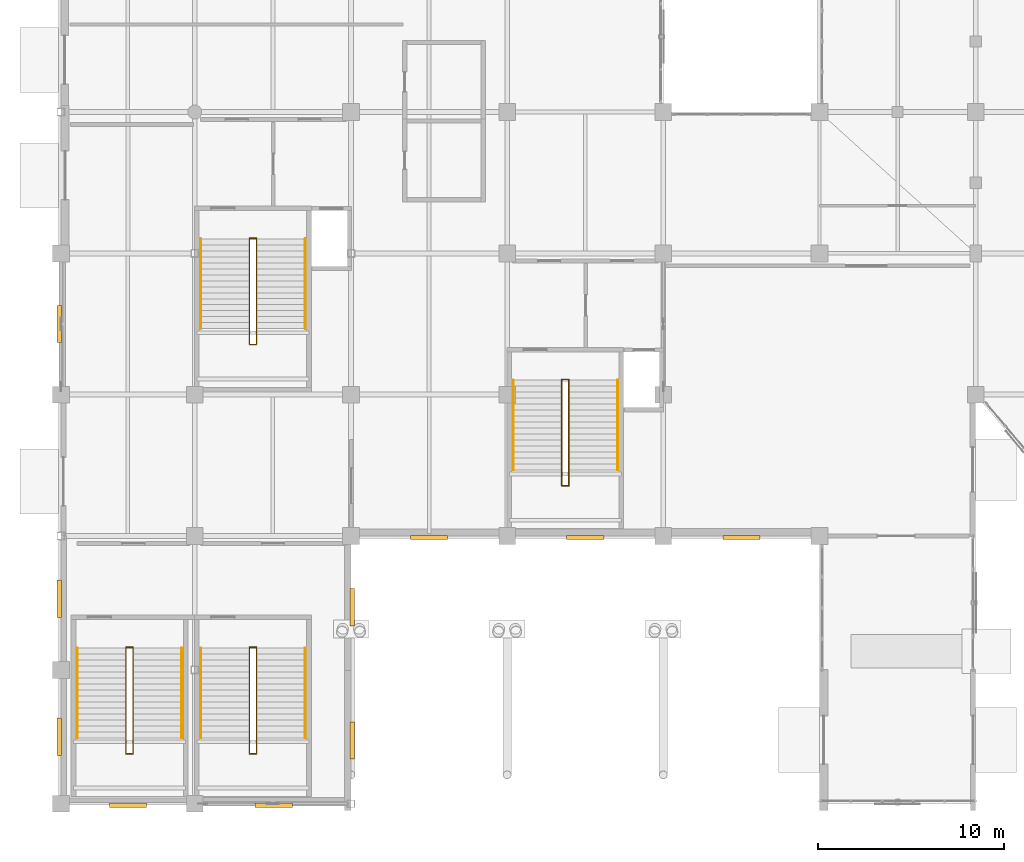
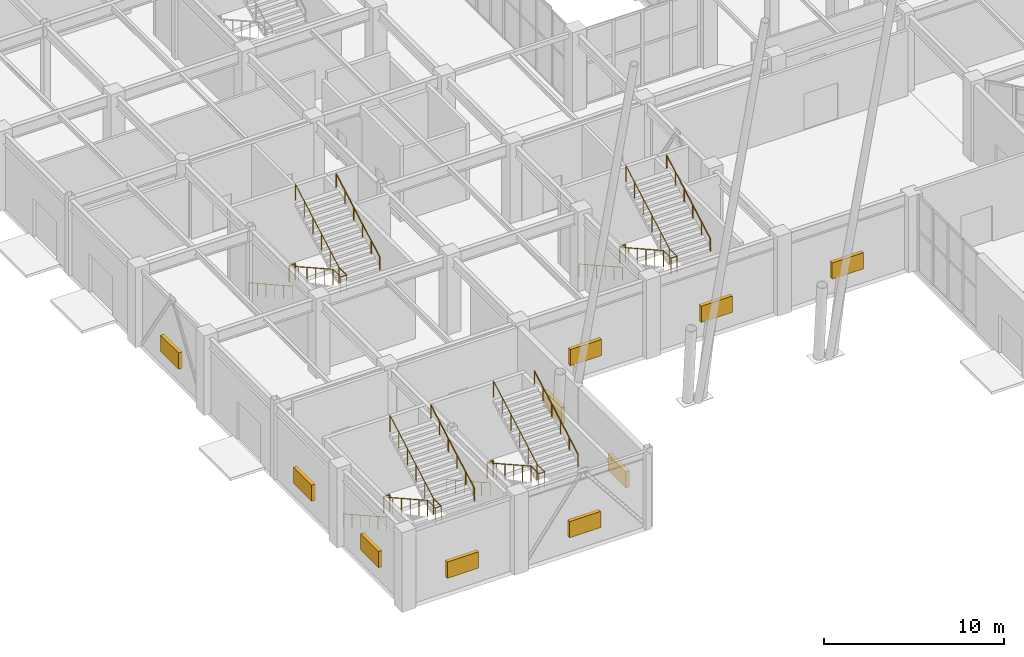
# One storey, part 134 of 139: 16 railings, 10 shading devices.
"""IFC4 building model written with IfcOpenShell, lengths in metres."""

from ifc_helpers import new_model, si_unit, direction, frame, origin, origin_2d, place, context, subcontext, project, spatial, rectangle, circle, extrude, material, type_object, element, save


model = new_model("IFC4")

# Units and contexts
model_context = context("Model", 3, precision=1e-05, world=origin(), true_north=direction((0.0, 1.0)))
body_context = subcontext(model_context, "Body", "Model", "MODEL_VIEW")
ifc_project = project(units=[si_unit("LENGTHUNIT", "METRE"), si_unit("AREAUNIT", "SQUARE_METRE"), si_unit("VOLUMEUNIT", "CUBIC_METRE"), si_unit("PLANEANGLEUNIT", "RADIAN"), si_unit("MASSUNIT", "GRAM", prefix="KILO")], contexts=[model_context])

# Site, building, storey
site_placement = place(None, origin())
site = spatial("IfcSite", under=ifc_project, at=site_placement, CompositionType="ELEMENT")
building_placement = place(site_placement, origin())
building = spatial("IfcBuilding", under=site, at=building_placement, Name="Xicomal Pleat Aquarium", CompositionType="ELEMENT")
storey_placement = place(building_placement, origin())
storey = spatial("IfcBuildingStorey", under=building, at=storey_placement, Name="L01", CompositionType="ELEMENT", Elevation=0.0)

# Railings
ifc_material_1 = material(Name="Brushed stainless steel 316L", Category="steel")
railing_type_1 = type_object("IfcRailingType", Name="RAL-HR-900", PredefinedType="HANDRAIL", material=ifc_material_1)
railing_1_placement = place(storey_placement, frame((10.52001953125, 31.179931640625, 0.0)))
element("IfcRailing", 1, at=railing_1_placement, inside=storey, type_object=railing_type_1, Name="ST-01-L01 flight 1 handrail", PredefinedType="HANDRAIL", context=body_context, shape_type="SweptSolid", body=[
    extrude(circle(Radius=0.02392578125, at=origin_2d()), frame((0.0, 0.0, 0.8759765625), z_axis=(0.0, -0.872872184848, 0.487948920398), x_axis=(1.0, 0.0, 0.0)), (0.0, 0.0, 1.0), 5.533203125),
    extrude(circle(Radius=0.02099609375, at=origin_2d()), origin(), (0.0, 0.0, 1.0), 0.851806640625),
    extrude(circle(Radius=0.02099609375, at=origin_2d()), frame((0.0, -0.966064453125, 0.5400390625)), (0.0, 0.0, 1.0), 0.851806640625),
    extrude(circle(Radius=0.02099609375, at=origin_2d()), frame((0.0, -1.931884765625, 1.080078125)), (0.0, 0.0, 1.0), 0.851806640625),
    extrude(circle(Radius=0.02099609375, at=origin_2d()), frame((0.0, -2.89794921875, 1.619873046875)), (0.0, 0.0, 1.0), 0.851806640625),
    extrude(circle(Radius=0.02099609375, at=origin_2d()), frame((0.0, -3.86376953125, 2.159912109375)), (0.0, 0.0, 1.0), 0.851806640625),
    extrude(circle(Radius=0.02099609375, at=origin_2d()), frame((0.0, -4.829833984375, 2.699951171875)), (0.0, 0.0, 1.0), 0.851806640625),
])
railing_2_placement = place(storey_placement, frame((16.139892578125, 26.35009765625, 2.699951171875)))
element("IfcRailing", 2, at=railing_2_placement, inside=storey, type_object=railing_type_1, Name="ST-01-L01 flight 2 handrail", PredefinedType="HANDRAIL", context=body_context, shape_type="SweptSolid", body=[
    extrude(circle(Radius=0.02392578125, at=origin_2d()), frame((0.0, 0.0, 0.8759765625), z_axis=(0.0, 0.872872184848, 0.487948920398), x_axis=(-1.0, 0.0, 0.0)), (0.0, 0.0, 1.0), 5.533203125),
    extrude(circle(Radius=0.02099609375, at=origin_2d()), origin(), (0.0, 0.0, 1.0), 0.851806640625),
    extrude(circle(Radius=0.02099609375, at=origin_2d()), frame((0.0, 0.966064453125, 0.5400390625)), (0.0, 0.0, 1.0), 0.851806640625),
    extrude(circle(Radius=0.02099609375, at=origin_2d()), frame((0.0, 1.931884765625, 1.080078125)), (0.0, 0.0, 1.0), 0.851806640625),
    extrude(circle(Radius=0.02099609375, at=origin_2d()), frame((0.0, 2.89794921875, 1.619873046875)), (0.0, 0.0, 1.0), 0.851806640625),
    extrude(circle(Radius=0.02099609375, at=origin_2d()), frame((0.0, 3.86376953125, 2.159912109375)), (0.0, 0.0, 1.0), 0.851806640625),
    extrude(circle(Radius=0.02099609375, at=origin_2d()), frame((0.0, 4.829833984375, 2.699951171875)), (0.0, 0.0, 1.0), 0.851806640625),
])
railing_3_placement = place(storey_placement, frame((27.320068359375, 23.580078125, 0.0)))
element("IfcRailing", 3, at=railing_3_placement, inside=storey, type_object=railing_type_1, Name="ST-02-L01 flight 1 handrail", PredefinedType="HANDRAIL", context=body_context, shape_type="SweptSolid", body=[
    extrude(circle(Radius=0.02392578125, at=origin_2d()), frame((0.0, 0.0, 0.8759765625), z_axis=(0.0, -0.872882689512, 0.487930128554), x_axis=(1.0, 0.0, 0.0)), (0.0, 0.0, 1.0), 5.533447265625),
    extrude(circle(Radius=0.02099609375, at=origin_2d()), origin(), (0.0, 0.0, 1.0), 0.851806640625),
    extrude(circle(Radius=0.02099609375, at=origin_2d()), frame((0.0, -0.966064453125, 0.5400390625)), (0.0, 0.0, 1.0), 0.851806640625),
    extrude(circle(Radius=0.02099609375, at=origin_2d()), frame((0.0, -1.93212890625, 1.080078125)), (0.0, 0.0, 1.0), 0.851806640625),
    extrude(circle(Radius=0.02099609375, at=origin_2d()), frame((0.0, -2.89794921875, 1.619873046875)), (0.0, 0.0, 1.0), 0.851806640625),
    extrude(circle(Radius=0.02099609375, at=origin_2d()), frame((0.0, -3.864013671875, 2.159912109375)), (0.0, 0.0, 1.0), 0.851806640625),
    extrude(circle(Radius=0.02099609375, at=origin_2d()), frame((0.0, -4.830078125, 2.699951171875)), (0.0, 0.0, 1.0), 0.851806640625),
])
railing_4_placement = place(storey_placement, frame((32.93994140625, 18.75, 2.699951171875)))
element("IfcRailing", 4, at=railing_4_placement, inside=storey, type_object=railing_type_1, Name="ST-02-L01 flight 2 handrail", PredefinedType="HANDRAIL", context=body_context, shape_type="SweptSolid", body=[
    extrude(circle(Radius=0.02392578125, at=origin_2d()), frame((0.0, 0.0, 0.8759765625), z_axis=(0.0, 0.872882689512, 0.487930128554), x_axis=(-1.0, 0.0, 0.0)), (0.0, 0.0, 1.0), 5.533447265625),
    extrude(circle(Radius=0.02099609375, at=origin_2d()), origin(), (0.0, 0.0, 1.0), 0.851806640625),
    extrude(circle(Radius=0.02099609375, at=origin_2d()), frame((0.0, 0.966064453125, 0.5400390625)), (0.0, 0.0, 1.0), 0.851806640625),
    extrude(circle(Radius=0.02099609375, at=origin_2d()), frame((0.0, 1.93212890625, 1.080078125)), (0.0, 0.0, 1.0), 0.851806640625),
    extrude(circle(Radius=0.02099609375, at=origin_2d()), frame((0.0, 2.89794921875, 1.619873046875)), (0.0, 0.0, 1.0), 0.851806640625),
    extrude(circle(Radius=0.02099609375, at=origin_2d()), frame((0.0, 3.864013671875, 2.159912109375)), (0.0, 0.0, 1.0), 0.851806640625),
    extrude(circle(Radius=0.02099609375, at=origin_2d()), frame((0.0, 4.830078125, 2.699951171875)), (0.0, 0.0, 1.0), 0.851806640625),
])
railing_5_placement = place(storey_placement, frame((10.52001953125, 9.179931640625, 0.0)))
element("IfcRailing", 5, at=railing_5_placement, inside=storey, type_object=railing_type_1, Name="ST-09-L01 flight 1 handrail", PredefinedType="HANDRAIL", context=body_context, shape_type="SweptSolid", body=[
    extrude(circle(Radius=0.02392578125, at=origin_2d()), frame((0.0, 0.0, 0.8759765625), z_axis=(0.0, -0.872872184848, 0.487948920398), x_axis=(1.0, 0.0, 0.0)), (0.0, 0.0, 1.0), 5.533203125),
    extrude(circle(Radius=0.02099609375, at=origin_2d()), origin(), (0.0, 0.0, 1.0), 0.851806640625),
    extrude(circle(Radius=0.02099609375, at=origin_2d()), frame((0.0, -0.966064453125, 0.5400390625)), (0.0, 0.0, 1.0), 0.851806640625),
    extrude(circle(Radius=0.02099609375, at=origin_2d()), frame((0.0, -1.931884765625, 1.080078125)), (0.0, 0.0, 1.0), 0.851806640625),
    extrude(circle(Radius=0.02099609375, at=origin_2d()), frame((0.0, -2.89794921875, 1.619873046875)), (0.0, 0.0, 1.0), 0.851806640625),
    extrude(circle(Radius=0.02099609375, at=origin_2d()), frame((0.0, -3.86376953125, 2.159912109375)), (0.0, 0.0, 1.0), 0.851806640625),
    extrude(circle(Radius=0.02099609375, at=origin_2d()), frame((0.0, -4.829833984375, 2.699951171875)), (0.0, 0.0, 1.0), 0.851806640625),
])
railing_6_placement = place(storey_placement, frame((16.139892578125, 4.35009765625, 2.699951171875)))
element("IfcRailing", 6, at=railing_6_placement, inside=storey, type_object=railing_type_1, Name="ST-09-L01 flight 2 handrail", PredefinedType="HANDRAIL", context=body_context, shape_type="SweptSolid", body=[
    extrude(circle(Radius=0.02392578125, at=origin_2d()), frame((0.0, 0.0, 0.8759765625), z_axis=(0.0, 0.872872184848, 0.487948920398), x_axis=(-1.0, 0.0, 0.0)), (0.0, 0.0, 1.0), 5.533203125),
    extrude(circle(Radius=0.02099609375, at=origin_2d()), origin(), (0.0, 0.0, 1.0), 0.851806640625),
    extrude(circle(Radius=0.02099609375, at=origin_2d()), frame((0.0, 0.966064453125, 0.5400390625)), (0.0, 0.0, 1.0), 0.851806640625),
    extrude(circle(Radius=0.02099609375, at=origin_2d()), frame((0.0, 1.931884765625, 1.080078125)), (0.0, 0.0, 1.0), 0.851806640625),
    extrude(circle(Radius=0.02099609375, at=origin_2d()), frame((0.0, 2.89794921875, 1.619873046875)), (0.0, 0.0, 1.0), 0.851806640625),
    extrude(circle(Radius=0.02099609375, at=origin_2d()), frame((0.0, 3.86376953125, 2.159912109375)), (0.0, 0.0, 1.0), 0.851806640625),
    extrude(circle(Radius=0.02099609375, at=origin_2d()), frame((0.0, 4.829833984375, 2.699951171875)), (0.0, 0.0, 1.0), 0.851806640625),
])
railing_7_placement = place(storey_placement, frame((3.8798828125, 9.179931640625, 0.0)))
element("IfcRailing", 7, at=railing_7_placement, inside=storey, type_object=railing_type_1, Name="ST-10-L01 flight 1 handrail", PredefinedType="HANDRAIL", context=body_context, shape_type="SweptSolid", body=[
    extrude(circle(Radius=0.02392578125, at=origin_2d()), frame((0.0, 0.0, 0.8759765625), z_axis=(0.0, -0.872872184848, 0.487948920398), x_axis=(1.0, 0.0, 0.0)), (0.0, 0.0, 1.0), 5.533203125),
    extrude(circle(Radius=0.02099609375, at=origin_2d()), origin(), (0.0, 0.0, 1.0), 0.851806640625),
    extrude(circle(Radius=0.02099609375, at=origin_2d()), frame((0.0, -0.966064453125, 0.5400390625)), (0.0, 0.0, 1.0), 0.851806640625),
    extrude(circle(Radius=0.02099609375, at=origin_2d()), frame((0.0, -1.931884765625, 1.080078125)), (0.0, 0.0, 1.0), 0.851806640625),
    extrude(circle(Radius=0.02099609375, at=origin_2d()), frame((0.0, -2.89794921875, 1.619873046875)), (0.0, 0.0, 1.0), 0.851806640625),
    extrude(circle(Radius=0.02099609375, at=origin_2d()), frame((0.0, -3.86376953125, 2.159912109375)), (0.0, 0.0, 1.0), 0.851806640625),
    extrude(circle(Radius=0.02099609375, at=origin_2d()), frame((0.0, -4.829833984375, 2.699951171875)), (0.0, 0.0, 1.0), 0.851806640625),
])
railing_8_placement = place(storey_placement, frame((9.5, 4.35009765625, 2.699951171875)))
element("IfcRailing", 8, at=railing_8_placement, inside=storey, type_object=railing_type_1, Name="ST-10-L01 flight 2 handrail", PredefinedType="HANDRAIL", context=body_context, shape_type="SweptSolid", body=[
    extrude(circle(Radius=0.02392578125, at=origin_2d()), frame((0.0, 0.0, 0.8759765625), z_axis=(0.0, 0.872872184848, 0.487948920398), x_axis=(-1.0, 0.0, 0.0)), (0.0, 0.0, 1.0), 5.533203125),
    extrude(circle(Radius=0.02099609375, at=origin_2d()), origin(), (0.0, 0.0, 1.0), 0.851806640625),
    extrude(circle(Radius=0.02099609375, at=origin_2d()), frame((0.0, 0.966064453125, 0.5400390625)), (0.0, 0.0, 1.0), 0.851806640625),
    extrude(circle(Radius=0.02099609375, at=origin_2d()), frame((0.0, 1.931884765625, 1.080078125)), (0.0, 0.0, 1.0), 0.851806640625),
    extrude(circle(Radius=0.02099609375, at=origin_2d()), frame((0.0, 2.89794921875, 1.619873046875)), (0.0, 0.0, 1.0), 0.851806640625),
    extrude(circle(Radius=0.02099609375, at=origin_2d()), frame((0.0, 3.86376953125, 2.159912109375)), (0.0, 0.0, 1.0), 0.851806640625),
    extrude(circle(Radius=0.02099609375, at=origin_2d()), frame((0.0, 4.829833984375, 2.699951171875)), (0.0, 0.0, 1.0), 0.851806640625),
])
ifc_material_2 = material(Name="Brushed stainless steel 316L", Category="steel")
railing_type_2 = type_object("IfcRailingType", Name="RAL-STG-1120", PredefinedType="GUARDRAIL", material=ifc_material_2)
railing_9_placement = place(storey_placement, frame((13.139892578125, 31.179931640625, 0.0)))
element("IfcRailing", 9, at=railing_9_placement, inside=storey, type_object=railing_type_2, Name="ST-01-L01 inner well guard", PredefinedType="GUARDRAIL", context=body_context, shape_type="SweptSolid", body=[
    extrude(circle(Radius=0.02392578125, at=origin_2d()), frame((0.0, 0.0, 1.09619140625), z_axis=(0.0, -0.872872184848, 0.487948920398), x_axis=(1.0, 0.0, 0.0)), (0.0, 0.0, 1.0), 5.533203125),
    extrude(circle(Radius=0.02392578125, at=origin_2d()), frame((0.0, -4.829833984375, 3.7958984375), z_axis=(0.0, -1.0, 0.0), x_axis=(1.0, 0.0, 0.0)), (0.0, 0.0, 1.0), 0.85009765625),
    extrude(circle(Radius=0.02392578125, at=origin_2d()), frame((0.0, -5.679931640625, 3.7958984375), z_axis=(1.0, 0.0, 0.0), x_axis=(0.0, 1.0, 0.0)), (0.0, 0.0, 1.0), 0.380126953125),
    extrude(circle(Radius=0.02392578125, at=origin_2d()), frame((0.380126953125, -5.679931640625, 3.7958984375), z_axis=(0.0, 1.0, 0.0), x_axis=(-1.0, 0.0, 0.0)), (0.0, 0.0, 1.0), 0.85009765625),
    extrude(circle(Radius=0.02392578125, at=origin_2d()), frame((0.380126953125, -4.829833984375, 3.7958984375), z_axis=(0.0, 0.872872184848, 0.487948920398), x_axis=(-1.0, 0.0, 0.0)), (0.0, 0.0, 1.0), 5.533203125),
    extrude(circle(Radius=0.02099609375, at=origin_2d()), origin(), (0.0, 0.0, 1.0), 1.072021484375),
    extrude(circle(Radius=0.02099609375, at=origin_2d()), frame((0.0, -0.966064453125, 0.5400390625)), (0.0, 0.0, 1.0), 1.072021484375),
    extrude(circle(Radius=0.02099609375, at=origin_2d()), frame((0.0, -1.931884765625, 1.080078125)), (0.0, 0.0, 1.0), 1.072021484375),
    extrude(circle(Radius=0.02099609375, at=origin_2d()), frame((0.0, -2.89794921875, 1.619873046875)), (0.0, 0.0, 1.0), 1.072021484375),
    extrude(circle(Radius=0.02099609375, at=origin_2d()), frame((0.0, -3.86376953125, 2.159912109375)), (0.0, 0.0, 1.0), 1.072021484375),
    extrude(circle(Radius=0.02099609375, at=origin_2d()), frame((0.0, -4.829833984375, 2.699951171875)), (0.0, 0.0, 1.0), 1.072021484375),
    extrude(circle(Radius=0.02099609375, at=origin_2d()), frame((0.0, -5.679931640625, 2.699951171875)), (0.0, 0.0, 1.0), 1.072021484375),
    extrude(circle(Radius=0.02099609375, at=origin_2d()), frame((0.380126953125, -5.679931640625, 2.699951171875)), (0.0, 0.0, 1.0), 1.072021484375),
    extrude(circle(Radius=0.02099609375, at=origin_2d()), frame((0.380126953125, -4.829833984375, 2.699951171875)), (0.0, 0.0, 1.0), 1.072021484375),
    extrude(circle(Radius=0.02099609375, at=origin_2d()), frame((0.380126953125, -3.86376953125, 3.239990234375)), (0.0, 0.0, 1.0), 1.072021484375),
    extrude(circle(Radius=0.02099609375, at=origin_2d()), frame((0.380126953125, -2.89794921875, 3.780029296875)), (0.0, 0.0, 1.0), 1.072021484375),
    extrude(circle(Radius=0.02099609375, at=origin_2d()), frame((0.380126953125, -1.931884765625, 4.31982421875)), (0.0, 0.0, 1.0), 1.072021484375),
    extrude(circle(Radius=0.02099609375, at=origin_2d()), frame((0.380126953125, -0.966064453125, 4.85986328125)), (0.0, 0.0, 1.0), 1.072021484375),
    extrude(circle(Radius=0.02099609375, at=origin_2d()), frame((0.380126953125, 0.0, 5.39990234375)), (0.0, 0.0, 1.0), 1.072021484375),
])
railing_10_placement = place(storey_placement, frame((13.139892578125, 31.219970703125, 0.0)))
element("IfcRailing", 10, at=railing_10_placement, inside=storey, type_object=railing_type_2, Name="ST-01-L01 floor landing slot guard", PredefinedType="GUARDRAIL", context=body_context, shape_type="SweptSolid", body=[
    extrude(circle(Radius=0.02392578125, at=origin_2d()), frame((0.0, 0.0, 1.09619140625), z_axis=(1.0, 0.0, 0.0), x_axis=(0.0, 1.0, 0.0)), (0.0, 0.0, 1.0), 0.380126953125),
    extrude(circle(Radius=0.02099609375, at=origin_2d()), origin(), (0.0, 0.0, 1.0), 1.072021484375),
    extrude(circle(Radius=0.02099609375, at=origin_2d()), frame((0.380126953125, 0.0, 0.0)), (0.0, 0.0, 1.0), 1.072021484375),
])
railing_11_placement = place(storey_placement, frame((29.93994140625, 23.580078125, 0.0)))
element("IfcRailing", 11, at=railing_11_placement, inside=storey, type_object=railing_type_2, Name="ST-02-L01 inner well guard", PredefinedType="GUARDRAIL", context=body_context, shape_type="SweptSolid", body=[
    extrude(circle(Radius=0.02392578125, at=origin_2d()), frame((0.0, 0.0, 1.09619140625), z_axis=(0.0, -0.872882689512, 0.487930128554), x_axis=(1.0, 0.0, 0.0)), (0.0, 0.0, 1.0), 5.533447265625),
    extrude(circle(Radius=0.02392578125, at=origin_2d()), frame((0.0, -4.830078125, 3.7958984375), z_axis=(0.0, -1.0, 0.0), x_axis=(1.0, 0.0, 0.0)), (0.0, 0.0, 1.0), 0.85009765625),
    extrude(circle(Radius=0.02392578125, at=origin_2d()), frame((0.0, -5.68017578125, 3.7958984375), z_axis=(1.0, 0.0, 0.0), x_axis=(0.0, 1.0, 0.0)), (0.0, 0.0, 1.0), 0.380126953125),
    extrude(circle(Radius=0.02392578125, at=origin_2d()), frame((0.380126953125, -5.68017578125, 3.7958984375), z_axis=(0.0, 1.0, 0.0), x_axis=(-1.0, 0.0, 0.0)), (0.0, 0.0, 1.0), 0.85009765625),
    extrude(circle(Radius=0.02392578125, at=origin_2d()), frame((0.380126953125, -4.830078125, 3.7958984375), z_axis=(0.0, 0.872882689512, 0.487930128554), x_axis=(-1.0, 0.0, 0.0)), (0.0, 0.0, 1.0), 5.533447265625),
    extrude(circle(Radius=0.02099609375, at=origin_2d()), origin(), (0.0, 0.0, 1.0), 1.072021484375),
    extrude(circle(Radius=0.02099609375, at=origin_2d()), frame((0.0, -0.966064453125, 0.5400390625)), (0.0, 0.0, 1.0), 1.072021484375),
    extrude(circle(Radius=0.02099609375, at=origin_2d()), frame((0.0, -1.93212890625, 1.080078125)), (0.0, 0.0, 1.0), 1.072021484375),
    extrude(circle(Radius=0.02099609375, at=origin_2d()), frame((0.0, -2.89794921875, 1.619873046875)), (0.0, 0.0, 1.0), 1.072021484375),
    extrude(circle(Radius=0.02099609375, at=origin_2d()), frame((0.0, -3.864013671875, 2.159912109375)), (0.0, 0.0, 1.0), 1.072021484375),
    extrude(circle(Radius=0.02099609375, at=origin_2d()), frame((0.0, -4.830078125, 2.699951171875)), (0.0, 0.0, 1.0), 1.072021484375),
    extrude(circle(Radius=0.02099609375, at=origin_2d()), frame((0.0, -5.68017578125, 2.699951171875)), (0.0, 0.0, 1.0), 1.072021484375),
    extrude(circle(Radius=0.02099609375, at=origin_2d()), frame((0.380126953125, -5.68017578125, 2.699951171875)), (0.0, 0.0, 1.0), 1.072021484375),
    extrude(circle(Radius=0.02099609375, at=origin_2d()), frame((0.380126953125, -4.830078125, 2.699951171875)), (0.0, 0.0, 1.0), 1.072021484375),
    extrude(circle(Radius=0.02099609375, at=origin_2d()), frame((0.380126953125, -3.864013671875, 3.239990234375)), (0.0, 0.0, 1.0), 1.072021484375),
    extrude(circle(Radius=0.02099609375, at=origin_2d()), frame((0.380126953125, -2.89794921875, 3.780029296875)), (0.0, 0.0, 1.0), 1.072021484375),
    extrude(circle(Radius=0.02099609375, at=origin_2d()), frame((0.380126953125, -1.93212890625, 4.31982421875)), (0.0, 0.0, 1.0), 1.072021484375),
    extrude(circle(Radius=0.02099609375, at=origin_2d()), frame((0.380126953125, -0.966064453125, 4.85986328125)), (0.0, 0.0, 1.0), 1.072021484375),
    extrude(circle(Radius=0.02099609375, at=origin_2d()), frame((0.380126953125, 0.0, 5.39990234375)), (0.0, 0.0, 1.0), 1.072021484375),
])
railing_12_placement = place(storey_placement, frame((29.93994140625, 23.6201171875, 0.0)))
element("IfcRailing", 12, at=railing_12_placement, inside=storey, type_object=railing_type_2, Name="ST-02-L01 floor landing slot guard", PredefinedType="GUARDRAIL", context=body_context, shape_type="SweptSolid", body=[
    extrude(circle(Radius=0.02392578125, at=origin_2d()), frame((0.0, 0.0, 1.09619140625), z_axis=(1.0, 0.0, 0.0), x_axis=(0.0, 1.0, 0.0)), (0.0, 0.0, 1.0), 0.380126953125),
    extrude(circle(Radius=0.02099609375, at=origin_2d()), origin(), (0.0, 0.0, 1.0), 1.072021484375),
    extrude(circle(Radius=0.02099609375, at=origin_2d()), frame((0.380126953125, 0.0, 0.0)), (0.0, 0.0, 1.0), 1.072021484375),
])
railing_13_placement = place(storey_placement, frame((13.139892578125, 9.179931640625, 0.0)))
element("IfcRailing", 13, at=railing_13_placement, inside=storey, type_object=railing_type_2, Name="ST-09-L01 inner well guard", PredefinedType="GUARDRAIL", context=body_context, shape_type="SweptSolid", body=[
    extrude(circle(Radius=0.02392578125, at=origin_2d()), frame((0.0, 0.0, 1.09619140625), z_axis=(0.0, -0.872872184848, 0.487948920398), x_axis=(1.0, 0.0, 0.0)), (0.0, 0.0, 1.0), 5.533203125),
    extrude(circle(Radius=0.02392578125, at=origin_2d()), frame((0.0, -4.829833984375, 3.7958984375), z_axis=(0.0, -1.0, 0.0), x_axis=(1.0, 0.0, 0.0)), (0.0, 0.0, 1.0), 0.85009765625),
    extrude(circle(Radius=0.02392578125, at=origin_2d()), frame((0.0, -5.679931640625, 3.7958984375), z_axis=(1.0, 0.0, 0.0), x_axis=(0.0, 1.0, 0.0)), (0.0, 0.0, 1.0), 0.380126953125),
    extrude(circle(Radius=0.02392578125, at=origin_2d()), frame((0.380126953125, -5.679931640625, 3.7958984375), z_axis=(0.0, 1.0, 0.0), x_axis=(-1.0, 0.0, 0.0)), (0.0, 0.0, 1.0), 0.85009765625),
    extrude(circle(Radius=0.02392578125, at=origin_2d()), frame((0.380126953125, -4.829833984375, 3.7958984375), z_axis=(0.0, 0.872872184848, 0.487948920398), x_axis=(-1.0, 0.0, 0.0)), (0.0, 0.0, 1.0), 5.533203125),
    extrude(circle(Radius=0.02099609375, at=origin_2d()), origin(), (0.0, 0.0, 1.0), 1.072021484375),
    extrude(circle(Radius=0.02099609375, at=origin_2d()), frame((0.0, -0.966064453125, 0.5400390625)), (0.0, 0.0, 1.0), 1.072021484375),
    extrude(circle(Radius=0.02099609375, at=origin_2d()), frame((0.0, -1.931884765625, 1.080078125)), (0.0, 0.0, 1.0), 1.072021484375),
    extrude(circle(Radius=0.02099609375, at=origin_2d()), frame((0.0, -2.89794921875, 1.619873046875)), (0.0, 0.0, 1.0), 1.072021484375),
    extrude(circle(Radius=0.02099609375, at=origin_2d()), frame((0.0, -3.86376953125, 2.159912109375)), (0.0, 0.0, 1.0), 1.072021484375),
    extrude(circle(Radius=0.02099609375, at=origin_2d()), frame((0.0, -4.829833984375, 2.699951171875)), (0.0, 0.0, 1.0), 1.072021484375),
    extrude(circle(Radius=0.02099609375, at=origin_2d()), frame((0.0, -5.679931640625, 2.699951171875)), (0.0, 0.0, 1.0), 1.072021484375),
    extrude(circle(Radius=0.02099609375, at=origin_2d()), frame((0.380126953125, -5.679931640625, 2.699951171875)), (0.0, 0.0, 1.0), 1.072021484375),
    extrude(circle(Radius=0.02099609375, at=origin_2d()), frame((0.380126953125, -4.829833984375, 2.699951171875)), (0.0, 0.0, 1.0), 1.072021484375),
    extrude(circle(Radius=0.02099609375, at=origin_2d()), frame((0.380126953125, -3.86376953125, 3.239990234375)), (0.0, 0.0, 1.0), 1.072021484375),
    extrude(circle(Radius=0.02099609375, at=origin_2d()), frame((0.380126953125, -2.89794921875, 3.780029296875)), (0.0, 0.0, 1.0), 1.072021484375),
    extrude(circle(Radius=0.02099609375, at=origin_2d()), frame((0.380126953125, -1.931884765625, 4.31982421875)), (0.0, 0.0, 1.0), 1.072021484375),
    extrude(circle(Radius=0.02099609375, at=origin_2d()), frame((0.380126953125, -0.966064453125, 4.85986328125)), (0.0, 0.0, 1.0), 1.072021484375),
    extrude(circle(Radius=0.02099609375, at=origin_2d()), frame((0.380126953125, 0.0, 5.39990234375)), (0.0, 0.0, 1.0), 1.072021484375),
])
railing_14_placement = place(storey_placement, frame((13.139892578125, 9.219970703125, 0.0)))
element("IfcRailing", 14, at=railing_14_placement, inside=storey, type_object=railing_type_2, Name="ST-09-L01 floor landing slot guard", PredefinedType="GUARDRAIL", context=body_context, shape_type="SweptSolid", body=[
    extrude(circle(Radius=0.02392578125, at=origin_2d()), frame((0.0, 0.0, 1.09619140625), z_axis=(1.0, 0.0, 0.0), x_axis=(0.0, 1.0, 0.0)), (0.0, 0.0, 1.0), 0.380126953125),
    extrude(circle(Radius=0.02099609375, at=origin_2d()), origin(), (0.0, 0.0, 1.0), 1.072021484375),
    extrude(circle(Radius=0.02099609375, at=origin_2d()), frame((0.380126953125, 0.0, 0.0)), (0.0, 0.0, 1.0), 1.072021484375),
])
railing_15_placement = place(storey_placement, frame((6.5, 9.179931640625, 0.0)))
element("IfcRailing", 15, at=railing_15_placement, inside=storey, type_object=railing_type_2, Name="ST-10-L01 inner well guard", PredefinedType="GUARDRAIL", context=body_context, shape_type="SweptSolid", body=[
    extrude(circle(Radius=0.02392578125, at=origin_2d()), frame((0.0, 0.0, 1.09619140625), z_axis=(0.0, -0.872872184848, 0.487948920398), x_axis=(1.0, 0.0, 0.0)), (0.0, 0.0, 1.0), 5.533203125),
    extrude(circle(Radius=0.02392578125, at=origin_2d()), frame((0.0, -4.829833984375, 3.7958984375), z_axis=(0.0, -1.0, 0.0), x_axis=(1.0, 0.0, 0.0)), (0.0, 0.0, 1.0), 0.85009765625),
    extrude(circle(Radius=0.02392578125, at=origin_2d()), frame((0.0, -5.679931640625, 3.7958984375), z_axis=(1.0, 0.0, 0.0), x_axis=(0.0, 1.0, 0.0)), (0.0, 0.0, 1.0), 0.3798828125),
    extrude(circle(Radius=0.02392578125, at=origin_2d()), frame((0.3798828125, -5.679931640625, 3.7958984375), z_axis=(0.0, 1.0, 0.0), x_axis=(-1.0, 0.0, 0.0)), (0.0, 0.0, 1.0), 0.85009765625),
    extrude(circle(Radius=0.02392578125, at=origin_2d()), frame((0.3798828125, -4.829833984375, 3.7958984375), z_axis=(0.0, 0.872872184848, 0.487948920398), x_axis=(-1.0, 0.0, 0.0)), (0.0, 0.0, 1.0), 5.533203125),
    extrude(circle(Radius=0.02099609375, at=origin_2d()), origin(), (0.0, 0.0, 1.0), 1.072021484375),
    extrude(circle(Radius=0.02099609375, at=origin_2d()), frame((0.0, -0.966064453125, 0.5400390625)), (0.0, 0.0, 1.0), 1.072021484375),
    extrude(circle(Radius=0.02099609375, at=origin_2d()), frame((0.0, -1.931884765625, 1.080078125)), (0.0, 0.0, 1.0), 1.072021484375),
    extrude(circle(Radius=0.02099609375, at=origin_2d()), frame((0.0, -2.89794921875, 1.619873046875)), (0.0, 0.0, 1.0), 1.072021484375),
    extrude(circle(Radius=0.02099609375, at=origin_2d()), frame((0.0, -3.86376953125, 2.159912109375)), (0.0, 0.0, 1.0), 1.072021484375),
    extrude(circle(Radius=0.02099609375, at=origin_2d()), frame((0.0, -4.829833984375, 2.699951171875)), (0.0, 0.0, 1.0), 1.072021484375),
    extrude(circle(Radius=0.02099609375, at=origin_2d()), frame((0.0, -5.679931640625, 2.699951171875)), (0.0, 0.0, 1.0), 1.072021484375),
    extrude(circle(Radius=0.02099609375, at=origin_2d()), frame((0.3798828125, -5.679931640625, 2.699951171875)), (0.0, 0.0, 1.0), 1.072021484375),
    extrude(circle(Radius=0.02099609375, at=origin_2d()), frame((0.3798828125, -4.829833984375, 2.699951171875)), (0.0, 0.0, 1.0), 1.072021484375),
    extrude(circle(Radius=0.02099609375, at=origin_2d()), frame((0.3798828125, -3.86376953125, 3.239990234375)), (0.0, 0.0, 1.0), 1.072021484375),
    extrude(circle(Radius=0.02099609375, at=origin_2d()), frame((0.3798828125, -2.89794921875, 3.780029296875)), (0.0, 0.0, 1.0), 1.072021484375),
    extrude(circle(Radius=0.02099609375, at=origin_2d()), frame((0.3798828125, -1.931884765625, 4.31982421875)), (0.0, 0.0, 1.0), 1.072021484375),
    extrude(circle(Radius=0.02099609375, at=origin_2d()), frame((0.3798828125, -0.966064453125, 4.85986328125)), (0.0, 0.0, 1.0), 1.072021484375),
    extrude(circle(Radius=0.02099609375, at=origin_2d()), frame((0.3798828125, 0.0, 5.39990234375)), (0.0, 0.0, 1.0), 1.072021484375),
])
railing_16_placement = place(storey_placement, frame((6.5, 9.219970703125, 0.0)))
element("IfcRailing", 16, at=railing_16_placement, inside=storey, type_object=railing_type_2, Name="ST-10-L01 floor landing slot guard", PredefinedType="GUARDRAIL", context=body_context, shape_type="SweptSolid", body=[
    extrude(circle(Radius=0.02392578125, at=origin_2d()), frame((0.0, 0.0, 1.09619140625), z_axis=(1.0, 0.0, 0.0), x_axis=(0.0, 1.0, 0.0)), (0.0, 0.0, 1.0), 0.3798828125),
    extrude(circle(Radius=0.02099609375, at=origin_2d()), origin(), (0.0, 0.0, 1.0), 1.072021484375),
    extrude(circle(Radius=0.02099609375, at=origin_2d()), frame((0.3798828125, 0.0, 0.0)), (0.0, 0.0, 1.0), 1.072021484375),
])

# Shading devices
ifc_material_3 = material(Name="Perforated bronze anodized aluminium", Category="aluminium")
shading_device_type = type_object("IfcShadingDeviceType", Name="SHD-LOUV-ALU", PredefinedType="JALOUSIE", material=ifc_material_3)
for number, where, z_axis, x_axis, name in (
    (17, (39.60009765625, 15.1201171875, 1.099853515625), (0.0, 0.0, 1.0), (-1.0, 0.0, 0.0), "L01 LSS acoustic weather louvre 1"),
    (18, (31.199951171875, 15.1201171875, 1.099853515625), (0.0, 0.0, 1.0), (-1.0, 0.0, 0.0), "L01 LSS acoustic weather louvre 2"),
    (19, (22.800048828125, 15.1201171875, 1.099853515625), (0.0, 0.0, 1.0), (-1.0, 0.0, 0.0), "L01 LSS acoustic weather louvre 3"),
    (20, (18.679931640625, 11.373046875, 1.099853515625), (0.0, 0.0, 1.0), (0.0, -1.0, 0.0), "L01 LSS acoustic weather louvre 4"),
    (21, (18.679931640625, 4.2099609375, 1.099853515625), (0.0, 0.0, 1.0), (0.0, -1.0, 0.0), "L01 LSS acoustic weather louvre 5"),
    (22, (14.445068359375, 0.719970703125, 1.099853515625), (0.0, 0.0, 1.0), (-1.0, 0.0, 0.0), "L01 LSS acoustic weather louvre 6"),
    (23, (6.60009765625, 0.719970703125, 1.099853515625), (0.0, 0.0, 1.0), (-1.0, 0.0, 0.0), "L01 LSS acoustic weather louvre 7"),
    (24, (2.919921875, 4.39990234375, 1.099853515625), (0.0, 0.0, 1.0), (0.0, 1.0, 0.0), "L01 LSS acoustic weather louvre 8"),
    (25, (2.919921875, 11.827880859375, 1.099853515625), (0.0, 0.0, 1.0), (0.0, 1.0, 0.0), "L01 LSS acoustic weather louvre 9"),
    (26, (2.919921875, 26.60009765625, 1.099853515625), (0.0, 0.0, 1.0), (0.0, 1.0, 0.0), "L01 LSS acoustic weather louvre 10"),
):
    element("IfcShadingDevice", number, at=place(storey_placement, frame(where, z_axis=z_axis, x_axis=x_axis)), inside=storey, type_object=shading_device_type, Name=name, PredefinedType="JALOUSIE", context=body_context, shape_type="SweptSolid", body=[
        extrude(rectangle(XDim=2.0, YDim=0.239990234375, at=origin_2d()), origin(), (0.0, 0.0, 1.0), 1.10009765625),
    ])

save(model, "model.ifc")
